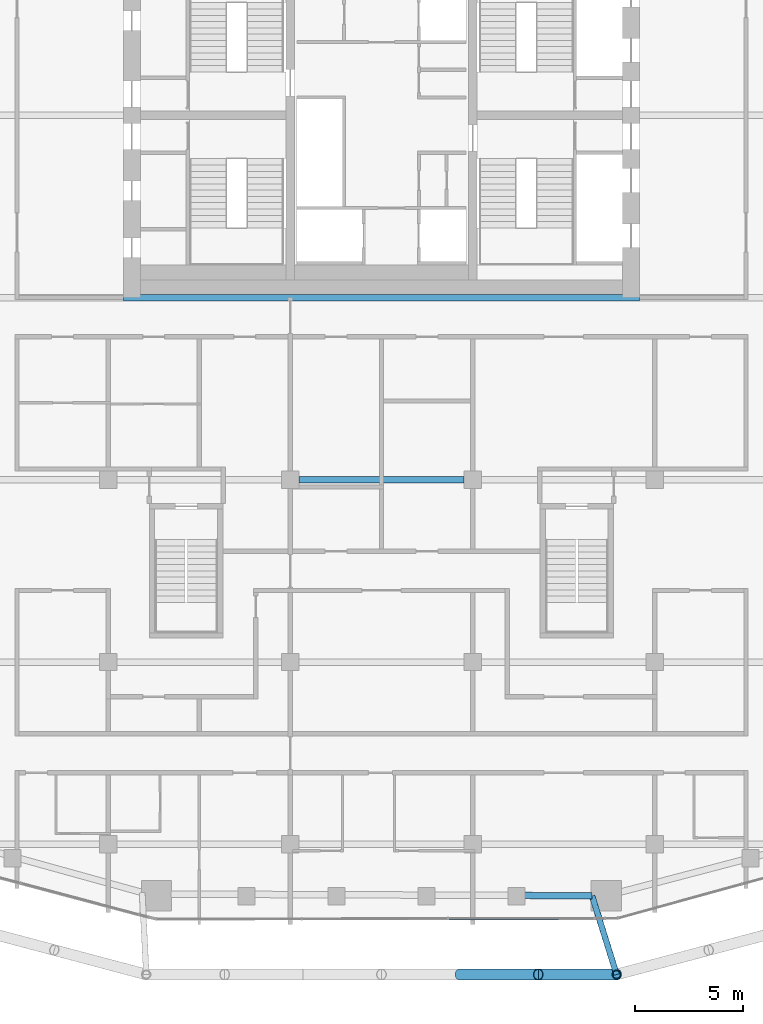
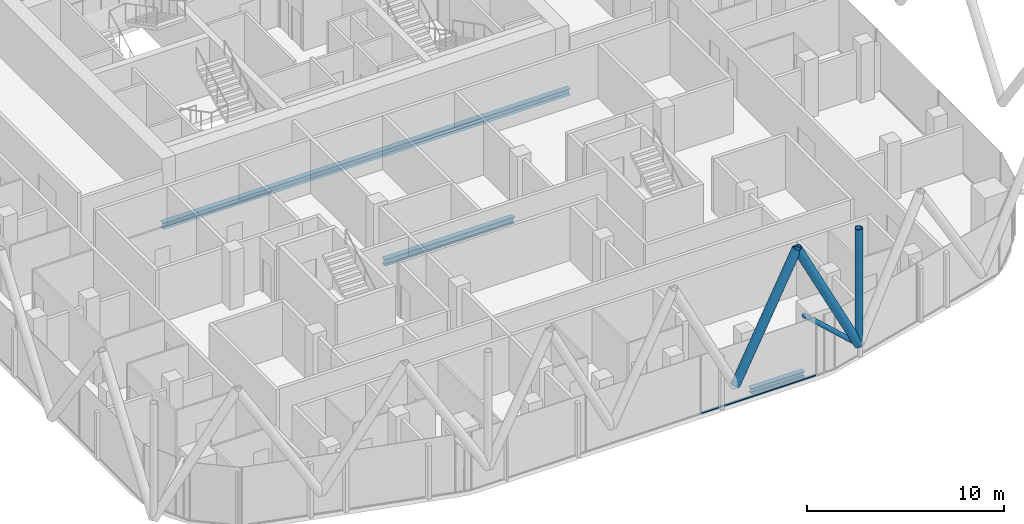
# One storey, part 5 of 28: 5 members, 3 beams, 1 element without a shape of its own.
"""IFC4 building model written with IfcOpenShell, lengths in metres."""

from ifc_helpers import new_model, si_unit, direction, frame, origin, origin_2d, place, context, subcontext, project, spatial, rectangle, hollow_circle, i_section, extrude, material, layer, layer_set, material_profile, profile_set, type_object, element, aggregate, save


model = new_model("IFC4")

# Units and contexts
model_context = context("Model", 3, precision=1e-05, world=origin(), true_north=direction((0.0, 1.0)))
body_context = subcontext(model_context, "Body", "Model", "MODEL_VIEW")
ifc_project = project(units=[si_unit("LENGTHUNIT", "METRE"), si_unit("AREAUNIT", "SQUARE_METRE"), si_unit("VOLUMEUNIT", "CUBIC_METRE"), si_unit("PLANEANGLEUNIT", "RADIAN"), si_unit("MASSUNIT", "GRAM", prefix="KILO")], contexts=[model_context])

# Site, building, storey
site_placement = place(None, origin())
site = spatial("IfcSite", under=ifc_project, at=site_placement, CompositionType="ELEMENT")
building_placement = place(site_placement, origin())
building = spatial("IfcBuilding", under=site, at=building_placement, Name="Marenta Gate Hotel Tower", CompositionType="ELEMENT")
storey_placement = place(building_placement, frame((0.0, 0.0, 241.699951171875)))
storey = spatial("IfcBuildingStorey", under=building, at=storey_placement, Name="L57", CompositionType="ELEMENT", Elevation=241.699951171875)

# Members
ifc_material_1 = material(Name="Steel S355J2W", Category="steel")
ifc_material_profile_1 = material_profile(ifc_material_1, hollow_circle(Radius=0.203125, WallThickness=0.02490234375, at=origin_2d()), Name="CHS 406.4x25")
ifc_profile_set_1 = profile_set([ifc_material_profile_1], Name="Steel S355J2W")
member_type_1 = type_object("IfcMemberType", Name="Diagrid corner post Z3 CHS 406.4x25", PredefinedType="POST", material=ifc_profile_set_1)
member_1_placement = place(storey_placement, frame((10.839111328125, -31.199951171875, 3.14013671875), z_axis=(0.0, 0.0, 1.0), x_axis=(1.0, 0.0, 0.0)))
element("IfcMember", 1, at=member_1_placement, inside=storey, type_object=member_type_1, Name="L57-DR-3", PredefinedType="POST", context=body_context, shape_type="SweptSolid", body=[
    extrude(hollow_circle(Radius=0.203125, WallThickness=0.02490234375, at=origin_2d()), origin(), (0.0, 0.0, 1.0), 7.199951171875),
])
ifc_material_2 = material(Name="Steel S355J2W", Category="steel")
ifc_material_profile_2 = material_profile(ifc_material_2, hollow_circle(Radius=0.25390625, WallThickness=0.02490234375, at=origin_2d()), Name="CHS 508x25")
ifc_profile_set_2 = profile_set([ifc_material_profile_2], Name="Steel S355J2W")
member_type_2 = type_object("IfcMemberType", Name="Diagrid diagonal Z3 CHS 508x25", PredefinedType="BRACE", material=ifc_profile_set_2)
for number, where, z_axis, x_axis, name in (
    (2, (10.839111328125, -31.199951171875, 3.14013671875), (-0.44851025603, 0.0, 0.893777685018), (0.0, -1.0, 0.0), "L57-DG-15"),
    (3, (3.613037109375, -31.199951171875, 3.14013671875), (0.44851025603, 0.0, 0.893777685018), (0.0, 1.0, 0.0), "L57-DG-16"),
):
    element("IfcMember", number, at=place(storey_placement, frame(where, z_axis=z_axis, x_axis=x_axis)), inside=storey, type_object=member_type_2, Name=name, PredefinedType="BRACE", context=body_context, shape_type="SweptSolid", body=[
        extrude(hollow_circle(Radius=0.25390625, WallThickness=0.02490234375, at=origin_2d()), origin(), (0.0, 0.0, 1.0), 8.0556640625),
    ])

# Beam
ifc_material_3 = material(Name="Steel S355", Category="steel")
ifc_material_profile_3 = material_profile(ifc_material_3, i_section(OverallWidth=0.300048828125, OverallDepth=0.340087890625, WebThickness=0.011962890625, FlangeThickness=0.021484375, FilletRadius=0.027099609375, at=origin_2d()), Name="HEB 340")
ifc_profile_set_3 = profile_set([ifc_material_profile_3], Name="Steel S355")
beam_type_1 = type_object("IfcBeamType", Name="Edge beam HEB 340", PredefinedType="SPANDREL", material=ifc_profile_set_3)
beam_1_placement = place(storey_placement, frame((9.706298828125, -27.570068359375, -0.429931640625), z_axis=(-0.999992678531, 0.003826602206, 0.0), x_axis=(-0.003826602206, -0.999992678531, 0.0)))
element("IfcBeam", 4, at=beam_1_placement, inside=storey, type_object=beam_type_1, Name="L57-EB-32", PredefinedType="SPANDREL", context=body_context, shape_type="SweptSolid", body=[
    extrude(i_section(OverallWidth=0.300048828125, OverallDepth=0.340087890625, WebThickness=0.011962890625, FlangeThickness=0.021484375, FilletRadius=0.027099609375, at=origin_2d()), origin(), (0.0, 0.0, 1.0), 3.126220703125),
])

# Member
ifc_material_4 = material(Name="Steel S355J2W", Category="steel")
ifc_material_profile_4 = material_profile(ifc_material_4, hollow_circle(Radius=0.136474609375, WallThickness=0.012451171875, at=origin_2d()), Name="CHS 273x12.5")
ifc_profile_set_4 = profile_set([ifc_material_profile_4], Name="Steel S355J2W")
member_type_3 = type_object("IfcMemberType", Name="Floor tie CHS 273x12.5", PredefinedType="STRUT", material=ifc_profile_set_4)
member_2_placement = place(storey_placement, frame((10.839111328125, -31.199951171875, 3.14013671875), z_axis=(-0.297897789013, 0.954597772521, 0.0), x_axis=(-0.954597772521, -0.297897789013, 0.0)))
element("IfcMember", 5, at=member_2_placement, inside=storey, type_object=member_type_3, Name="L57-DR-9", PredefinedType="STRUT", context=body_context, shape_type="SweptSolid", body=[
    extrude(hollow_circle(Radius=0.136474609375, WallThickness=0.012451171875, at=origin_2d()), origin(), (0.0, 0.0, 1.0), 3.796142578125),
])

# Beams
ifc_material_5 = material(Name="Steel S355", Category="steel")
ifc_material_profile_5 = material_profile(ifc_material_5, i_section(OverallWidth=0.300048828125, OverallDepth=0.39990234375, WebThickness=0.013427734375, FlangeThickness=0.02392578125, FilletRadius=0.027099609375, at=origin_2d()), Name="HEB 400")
ifc_profile_set_5 = profile_set([ifc_material_profile_5], Name="Steel S355")
beam_type_2 = type_object("IfcBeamType", Name="Girder HEB 400", PredefinedType="BEAM", material=ifc_profile_set_5)
beam_2_placement = place(storey_placement, frame((-3.800048828125, -8.39990234375, -0.4599609375), z_axis=(1.0, 0.0, 0.0), x_axis=(0.0, 1.0, 0.0)))
element("IfcBeam", 6, at=beam_2_placement, inside=storey, type_object=beam_type_2, Name="L57-GD-16", PredefinedType="BEAM", context=body_context, shape_type="SweptSolid", body=[
    extrude(i_section(OverallWidth=0.300048828125, OverallDepth=0.39990234375, WebThickness=0.013427734375, FlangeThickness=0.02392578125, FilletRadius=0.027099609375, at=origin_2d()), origin(), (0.0, 0.0, 1.0), 7.60009765625),
])
beam_3_placement = place(storey_placement, frame((-11.89990234375, 0.0, -0.4599609375), z_axis=(1.0, 0.0, 0.0), x_axis=(0.0, 1.0, 0.0)))
element("IfcBeam", 7, at=beam_3_placement, inside=storey, type_object=beam_type_2, Name="L57-GD-22", PredefinedType="BEAM", context=body_context, shape_type="SweptSolid", body=[
    extrude(i_section(OverallWidth=0.300048828125, OverallDepth=0.39990234375, WebThickness=0.013427734375, FlangeThickness=0.02392578125, FilletRadius=0.027099609375, at=origin_2d()), origin(), (0.0, 0.0, 1.0), 23.7998046875),
])

# Curtain wall, member
ifc_material_6 = material(Name="Tinted insulated glass in bronze anodised frame", Category="glass")
ifc_layer = layer(ifc_material_6, 0.1201171875)
ifc_layer_set = layer_set([ifc_layer], Name="Tinted insulated glass in bronze anodised frame")
curtain_wall_type = type_object("IfcCurtainWallType", Name="Tower unitised curtain wall CW1", PredefinedType="NOTDEFINED", material=ifc_layer_set)
curtain_wall_placement = place(storey_placement, origin())
curtain_wall = element("IfcCurtainWall", 8, at=curtain_wall_placement, inside=storey, type_object=curtain_wall_type, Name="CW1 run G12", PredefinedType="NOTDEFINED")
ifc_material_7 = material(Name="Bronze anodised aluminium", Category="aluminium")
ifc_material_profile_6 = material_profile(ifc_material_7, rectangle(XDim=0.1201171875, YDim=0.06005859375, at=origin_2d()), Name="Transom CW1 60x120 bronze anodised aluminium")
ifc_profile_set_6 = profile_set([ifc_material_profile_6], Name="Bronze anodised aluminium")
member_type_4 = type_object("IfcMemberType", Name="Transom CW1 60x120 bronze anodised aluminium", PredefinedType="USERDEFINED", material=ifc_profile_set_6)
member_3_placement = place(storey_placement, frame((3.09130859375, -28.625244140625, 0.030029296875), z_axis=(0.999998657061, 0.001638864432, 0.0), x_axis=(-0.001638864432, 0.999998657061, 0.0)))
member_3 = element("IfcMember", 9, at=member_3_placement, type_object=member_type_4, Name="CW1 transom 3.1", ObjectType="TRANSOM", PredefinedType="USERDEFINED", context=body_context, shape_type="SweptSolid", body=[
    extrude(rectangle(XDim=0.1201171875, YDim=0.06005859375, at=origin_2d()), origin(), (0.0, 0.0, 1.0), 6.70361328125),
])
aggregate(curtain_wall, [member_3])

save(model, "model.ifc")
